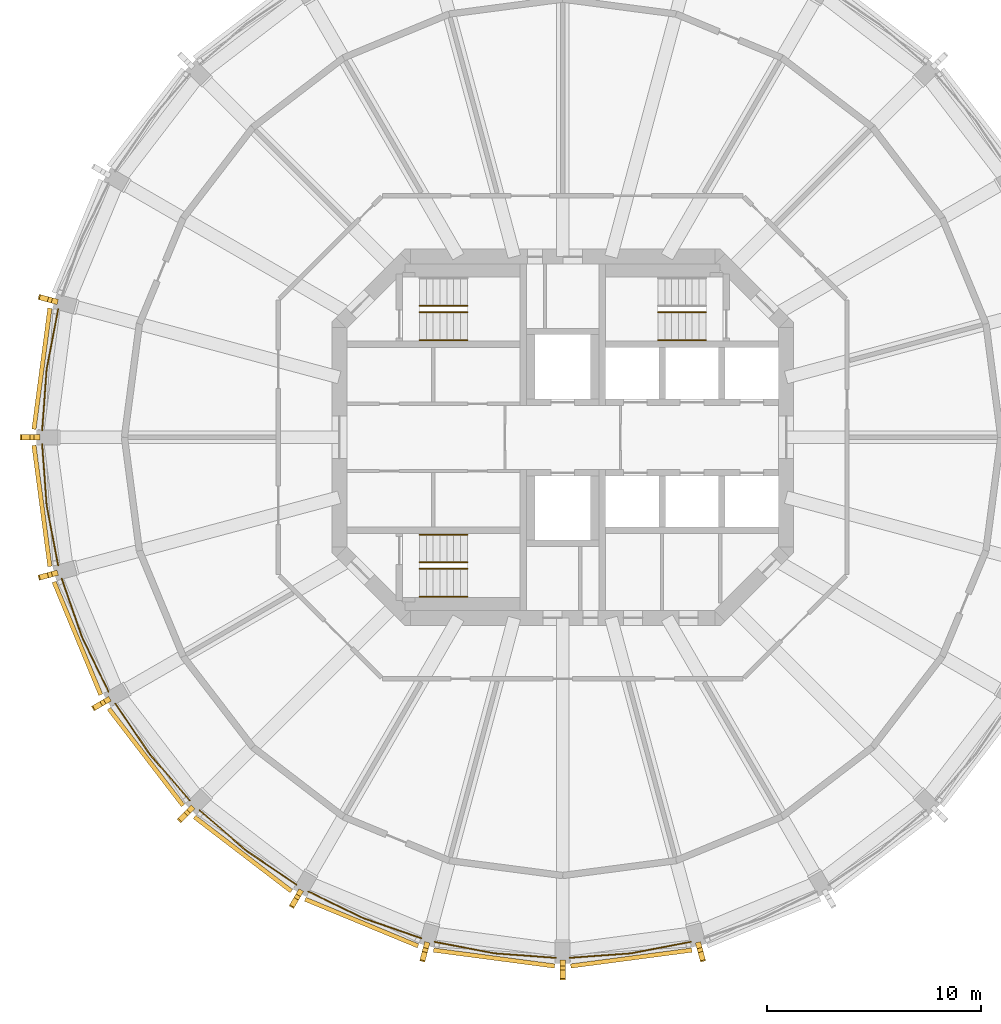
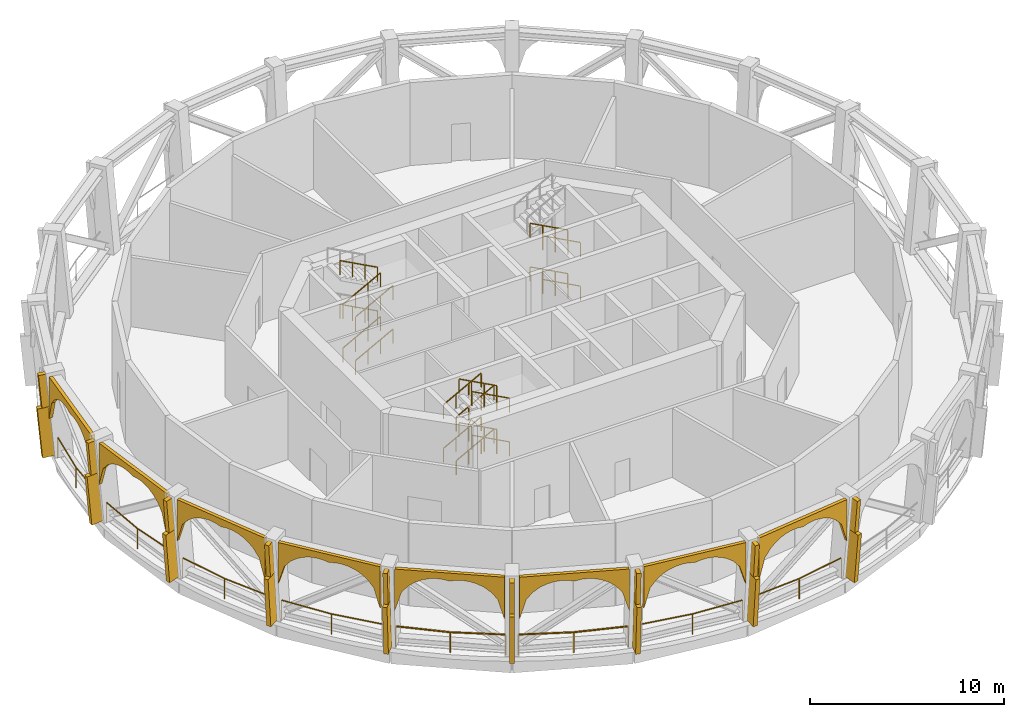
# One storey, part 7 of 9: 26 coverings, 26 railings.
"""IFC4 building model written with IfcOpenShell, lengths in metres."""

from ifc_helpers import new_model, si_unit, direction, frame, origin, origin_2d, place, context, subcontext, project, spatial, polyline, rectangle, outline, extrude, material, layer, layer_set, material_profile, profile_set, type_object, element, save


model = new_model("IFC4")

# Units and contexts
model_context = context("Model", 3, precision=1e-05, world=origin(), true_north=direction((0.0, 1.0)))
body_context = subcontext(model_context, "Body", "Model", "MODEL_VIEW")
ifc_project = project(units=[si_unit("LENGTHUNIT", "METRE"), si_unit("AREAUNIT", "SQUARE_METRE"), si_unit("VOLUMEUNIT", "CUBIC_METRE"), si_unit("PLANEANGLEUNIT", "RADIAN"), si_unit("MASSUNIT", "GRAM", prefix="KILO")], contexts=[model_context])

# Site, building, storey
site_placement = place(None, origin())
site = spatial("IfcSite", under=ifc_project, at=site_placement, CompositionType="ELEMENT")
building_placement = place(site_placement, origin())
building = spatial("IfcBuilding", under=site, at=building_placement, Name="Torre Triforio", CompositionType="ELEMENT")
storey_placement = place(building_placement, frame((0.0, 0.0, 248.300048828125)))
storey = spatial("IfcBuildingStorey", under=building, at=storey_placement, Name="L57", CompositionType="ELEMENT", Elevation=248.300048828125)

# Railings
ifc_material_1 = material(Name="Stainless steel AISI 316", Category="steel")
railing_type_1 = type_object("IfcRailingType", Name="HANDRAIL 920", PredefinedType="HANDRAIL", material=ifc_material_1)
for number, where, name in (
    (1, (-6.699951171875, 4.550048828125, 0.171875), "Handrail ST1"),
    (2, (-6.699951171875, 5.85009765625, 0.171875), "Handrail ST1"),
):
    element("IfcRailing", number, at=place(storey_placement, frame(where)), inside=storey, type_object=railing_type_1, Name=name, PredefinedType="HANDRAIL", context=body_context, shape_type="SweptSolid", body=[
        extrude(rectangle(XDim=0.048095703125, YDim=0.048095703125, at=origin_2d()), frame((0.0, 0.0, 0.89599609375), z_axis=(0.880967005, 0.0, 0.473177700342), x_axis=(0.0, 1.0, 0.0)), (0.0, 0.0, 1.0), 2.542724609375),
        extrude(rectangle(XDim=0.0419921875, YDim=0.0419921875, at=origin_2d()), origin(), (0.0, 0.0, 1.0), 0.871826171875),
        extrude(rectangle(XDim=0.0419921875, YDim=0.0419921875, at=origin_2d()), frame((0.74658203125, 0.0, 0.401123046875)), (0.0, 0.0, 1.0), 0.871826171875),
        extrude(rectangle(XDim=0.0419921875, YDim=0.0419921875, at=origin_2d()), frame((1.493408203125, 0.0, 0.802001953125)), (0.0, 0.0, 1.0), 0.871826171875),
        extrude(rectangle(XDim=0.0419921875, YDim=0.0419921875, at=origin_2d()), frame((2.239990234375, 0.0, 1.203125)), (0.0, 0.0, 1.0), 0.871826171875),
    ])
railing_1_placement = place(storey_placement, frame((-4.4599609375, 6.14990234375, 1.546875)))
element("IfcRailing", 3, at=railing_1_placement, inside=storey, type_object=railing_type_1, Name="Handrail ST1", PredefinedType="HANDRAIL", context=body_context, shape_type="SweptSolid", body=[
    extrude(rectangle(XDim=0.048095703125, YDim=0.048095703125, at=origin_2d()), frame((0.0, 0.0, 0.89599609375), z_axis=(-0.880967005, 0.0, 0.473177700342), x_axis=(0.0, -1.0, 0.0)), (0.0, 0.0, 1.0), 2.542724609375),
    extrude(rectangle(XDim=0.0419921875, YDim=0.0419921875, at=origin_2d()), origin(), (0.0, 0.0, 1.0), 0.871826171875),
    extrude(rectangle(XDim=0.0419921875, YDim=0.0419921875, at=origin_2d()), frame((-0.74658203125, 0.0, 0.401123046875)), (0.0, 0.0, 1.0), 0.871826171875),
    extrude(rectangle(XDim=0.0419921875, YDim=0.0419921875, at=origin_2d()), frame((-1.493408203125, 0.0, 0.802001953125)), (0.0, 0.0, 1.0), 0.871826171875),
    extrude(rectangle(XDim=0.0419921875, YDim=0.0419921875, at=origin_2d()), frame((-2.239990234375, 0.0, 1.203125)), (0.0, 0.0, 1.0), 0.871826171875),
])
for number, where, name in (
    (4, (-6.699951171875, 4.550048828125, 2.921875), "Handrail ST1"),
    (5, (-6.699951171875, 5.85009765625, 2.921875), "Handrail ST1"),
):
    element("IfcRailing", number, at=place(storey_placement, frame(where)), inside=storey, type_object=railing_type_1, Name=name, PredefinedType="HANDRAIL", context=body_context, shape_type="SweptSolid", body=[
        extrude(rectangle(XDim=0.048095703125, YDim=0.048095703125, at=origin_2d()), frame((0.0, 0.0, 0.89599609375), z_axis=(0.880967005, 0.0, 0.473177700342), x_axis=(0.0, 1.0, 0.0)), (0.0, 0.0, 1.0), 2.542724609375),
        extrude(rectangle(XDim=0.0419921875, YDim=0.0419921875, at=origin_2d()), origin(), (0.0, 0.0, 1.0), 0.871826171875),
        extrude(rectangle(XDim=0.0419921875, YDim=0.0419921875, at=origin_2d()), frame((0.74658203125, 0.0, 0.401123046875)), (0.0, 0.0, 1.0), 0.871826171875),
        extrude(rectangle(XDim=0.0419921875, YDim=0.0419921875, at=origin_2d()), frame((1.493408203125, 0.0, 0.802001953125)), (0.0, 0.0, 1.0), 0.871826171875),
        extrude(rectangle(XDim=0.0419921875, YDim=0.0419921875, at=origin_2d()), frame((2.239990234375, 0.0, 1.203125)), (0.0, 0.0, 1.0), 0.871826171875),
    ])
for number, where, name in (
    (6, (-4.4599609375, 6.14990234375, 4.296875), "Handrail ST1"),
    (7, (6.699951171875, 4.550048828125, 0.171875), "Handrail ST2"),
    (8, (6.699951171875, 5.85009765625, 0.171875), "Handrail ST2"),
    (9, (6.699951171875, 4.550048828125, 2.921875), "Handrail ST2"),
    (10, (6.699951171875, 5.85009765625, 2.921875), "Handrail ST2"),
):
    element("IfcRailing", number, at=place(storey_placement, frame(where)), inside=storey, type_object=railing_type_1, Name=name, PredefinedType="HANDRAIL", context=body_context, shape_type="SweptSolid", body=[
        extrude(rectangle(XDim=0.048095703125, YDim=0.048095703125, at=origin_2d()), frame((0.0, 0.0, 0.89599609375), z_axis=(-0.880967005, 0.0, 0.473177700342), x_axis=(0.0, -1.0, 0.0)), (0.0, 0.0, 1.0), 2.542724609375),
        extrude(rectangle(XDim=0.0419921875, YDim=0.0419921875, at=origin_2d()), origin(), (0.0, 0.0, 1.0), 0.871826171875),
        extrude(rectangle(XDim=0.0419921875, YDim=0.0419921875, at=origin_2d()), frame((-0.74658203125, 0.0, 0.401123046875)), (0.0, 0.0, 1.0), 0.871826171875),
        extrude(rectangle(XDim=0.0419921875, YDim=0.0419921875, at=origin_2d()), frame((-1.493408203125, 0.0, 0.802001953125)), (0.0, 0.0, 1.0), 0.871826171875),
        extrude(rectangle(XDim=0.0419921875, YDim=0.0419921875, at=origin_2d()), frame((-2.239990234375, 0.0, 1.203125)), (0.0, 0.0, 1.0), 0.871826171875),
    ])
for number, where, name in (
    (11, (-6.699951171875, -4.550048828125, 0.171875), "Handrail ST3"),
    (12, (-6.699951171875, -5.85009765625, 0.171875), "Handrail ST3"),
):
    element("IfcRailing", number, at=place(storey_placement, frame(where)), inside=storey, type_object=railing_type_1, Name=name, PredefinedType="HANDRAIL", context=body_context, shape_type="SweptSolid", body=[
        extrude(rectangle(XDim=0.048095703125, YDim=0.048095703125, at=origin_2d()), frame((0.0, 0.0, 0.89599609375), z_axis=(0.880967005, 0.0, 0.473177700342), x_axis=(0.0, 1.0, 0.0)), (0.0, 0.0, 1.0), 2.542724609375),
        extrude(rectangle(XDim=0.0419921875, YDim=0.0419921875, at=origin_2d()), origin(), (0.0, 0.0, 1.0), 0.871826171875),
        extrude(rectangle(XDim=0.0419921875, YDim=0.0419921875, at=origin_2d()), frame((0.74658203125, 0.0, 0.401123046875)), (0.0, 0.0, 1.0), 0.871826171875),
        extrude(rectangle(XDim=0.0419921875, YDim=0.0419921875, at=origin_2d()), frame((1.493408203125, 0.0, 0.802001953125)), (0.0, 0.0, 1.0), 0.871826171875),
        extrude(rectangle(XDim=0.0419921875, YDim=0.0419921875, at=origin_2d()), frame((2.239990234375, 0.0, 1.203125)), (0.0, 0.0, 1.0), 0.871826171875),
    ])
for number, where, name in (
    (13, (-4.4599609375, -7.449951171875, 1.546875), "Handrail ST3"),
    (14, (-4.4599609375, -6.14990234375, 1.546875), "Handrail ST3"),
):
    element("IfcRailing", number, at=place(storey_placement, frame(where)), inside=storey, type_object=railing_type_1, Name=name, PredefinedType="HANDRAIL", context=body_context, shape_type="SweptSolid", body=[
        extrude(rectangle(XDim=0.048095703125, YDim=0.048095703125, at=origin_2d()), frame((0.0, 0.0, 0.89599609375), z_axis=(-0.880967005, 0.0, 0.473177700342), x_axis=(0.0, -1.0, 0.0)), (0.0, 0.0, 1.0), 2.542724609375),
        extrude(rectangle(XDim=0.0419921875, YDim=0.0419921875, at=origin_2d()), origin(), (0.0, 0.0, 1.0), 0.871826171875),
        extrude(rectangle(XDim=0.0419921875, YDim=0.0419921875, at=origin_2d()), frame((-0.74658203125, 0.0, 0.401123046875)), (0.0, 0.0, 1.0), 0.871826171875),
        extrude(rectangle(XDim=0.0419921875, YDim=0.0419921875, at=origin_2d()), frame((-1.493408203125, 0.0, 0.802001953125)), (0.0, 0.0, 1.0), 0.871826171875),
        extrude(rectangle(XDim=0.0419921875, YDim=0.0419921875, at=origin_2d()), frame((-2.239990234375, 0.0, 1.203125)), (0.0, 0.0, 1.0), 0.871826171875),
    ])
for number, where, name in (
    (15, (-6.699951171875, -4.550048828125, 2.921875), "Handrail ST3"),
    (16, (-6.699951171875, -5.85009765625, 2.921875), "Handrail ST3"),
):
    element("IfcRailing", number, at=place(storey_placement, frame(where)), inside=storey, type_object=railing_type_1, Name=name, PredefinedType="HANDRAIL", context=body_context, shape_type="SweptSolid", body=[
        extrude(rectangle(XDim=0.048095703125, YDim=0.048095703125, at=origin_2d()), frame((0.0, 0.0, 0.89599609375), z_axis=(0.880967005, 0.0, 0.473177700342), x_axis=(0.0, 1.0, 0.0)), (0.0, 0.0, 1.0), 2.542724609375),
        extrude(rectangle(XDim=0.0419921875, YDim=0.0419921875, at=origin_2d()), origin(), (0.0, 0.0, 1.0), 0.871826171875),
        extrude(rectangle(XDim=0.0419921875, YDim=0.0419921875, at=origin_2d()), frame((0.74658203125, 0.0, 0.401123046875)), (0.0, 0.0, 1.0), 0.871826171875),
        extrude(rectangle(XDim=0.0419921875, YDim=0.0419921875, at=origin_2d()), frame((1.493408203125, 0.0, 0.802001953125)), (0.0, 0.0, 1.0), 0.871826171875),
        extrude(rectangle(XDim=0.0419921875, YDim=0.0419921875, at=origin_2d()), frame((2.239990234375, 0.0, 1.203125)), (0.0, 0.0, 1.0), 0.871826171875),
    ])
for number, where, name in (
    (17, (-4.4599609375, -7.449951171875, 4.296875), "Handrail ST3"),
    (18, (-4.4599609375, -6.14990234375, 4.296875), "Handrail ST3"),
):
    element("IfcRailing", number, at=place(storey_placement, frame(where)), inside=storey, type_object=railing_type_1, Name=name, PredefinedType="HANDRAIL", context=body_context, shape_type="SweptSolid", body=[
        extrude(rectangle(XDim=0.048095703125, YDim=0.048095703125, at=origin_2d()), frame((0.0, 0.0, 0.89599609375), z_axis=(-0.880967005, 0.0, 0.473177700342), x_axis=(0.0, -1.0, 0.0)), (0.0, 0.0, 1.0), 2.542724609375),
        extrude(rectangle(XDim=0.0419921875, YDim=0.0419921875, at=origin_2d()), origin(), (0.0, 0.0, 1.0), 0.871826171875),
        extrude(rectangle(XDim=0.0419921875, YDim=0.0419921875, at=origin_2d()), frame((-0.74658203125, 0.0, 0.401123046875)), (0.0, 0.0, 1.0), 0.871826171875),
        extrude(rectangle(XDim=0.0419921875, YDim=0.0419921875, at=origin_2d()), frame((-1.493408203125, 0.0, 0.802001953125)), (0.0, 0.0, 1.0), 0.871826171875),
        extrude(rectangle(XDim=0.0419921875, YDim=0.0419921875, at=origin_2d()), frame((-2.239990234375, 0.0, 1.203125)), (0.0, 0.0, 1.0), 0.871826171875),
    ])

# Coverings
ifc_material_2 = material(Name="Limestone arch panel", Category="masonry")
ifc_layer = layer(ifc_material_2, 0.199951171875)
ifc_layer_set = layer_set([ifc_layer], Name="Limestone arch panel")
covering_type_1 = type_object("IfcCoveringType", Name="Lancet arch cladding panel 200", PredefinedType="CLADDING", material=ifc_layer_set)
for number, where, z_axis, x_axis, name in (
    (19, (-24.262939453125, 3.1943359375, 0.0), (-0.991429342672, 0.130644014367, 0.0), (-0.130644014367, -0.991429342672, 0.0), "Lancet arch panel L57 bay 12"),
    (20, (-24.262939453125, -3.1943359375, 0.0), (-0.991429342672, -0.130644014367, 0.0), (0.130644014367, -0.991429342672, 0.0), "Lancet arch panel L57 bay 13"),
):
    element("IfcCovering", number, at=place(storey_placement, frame(where, z_axis=z_axis, x_axis=x_axis)), inside=storey, type_object=covering_type_1, Name=name, PredefinedType="CLADDING", context=body_context, shape_type="SweptSolid", body=[
        extrude(outline(polyline([(-2.8544921875, 5.219970703125), (-2.8544921875, 2.60009765625), (-2.497802734375, 3.805419921875), (-2.140869140625, 4.228271484375), (-1.7841796875, 4.49609375), (-1.42724609375, 4.669921875), (-1.0703125, 4.772216796875), (-0.713623046875, 4.813232421875), (-0.356689453125, 4.79638671875), (0.0, 4.719970703125), (0.356689453125, 4.79638671875), (0.713623046875, 4.813232421875), (1.0703125, 4.772216796875), (1.42724609375, 4.669921875), (1.7841796875, 4.49609375), (2.140869140625, 4.228271484375), (2.497802734375, 3.805419921875), (2.8544921875, 2.60009765625), (2.8544921875, 5.219970703125), (-2.8544921875, 5.219970703125)])), origin(), (0.0, 0.0, 1.0), 0.199951171875),
    ])
covering_1_placement = place(storey_placement, frame((-22.609619140625, -9.365234375, 0.0), z_axis=(-0.923942369466, -0.382531695295, 0.0), x_axis=(0.382531695295, -0.923942369466, 0.0)))
element("IfcCovering", 21, at=covering_1_placement, inside=storey, type_object=covering_type_1, Name="Lancet arch panel L57 bay 14", PredefinedType="CLADDING", context=body_context, shape_type="SweptSolid", body=[
    extrude(outline(polyline([(-2.8544921875, 5.219970703125), (-2.8544921875, 2.60009765625), (-2.497802734375, 3.805419921875), (-2.140869140625, 4.228271484375), (-1.7841796875, 4.49609375), (-1.42724609375, 4.669921875), (-1.0703125, 4.772216796875), (-0.713623046875, 4.813232421875), (-0.356689453125, 4.79638671875), (0.0, 4.719970703125), (0.356689453125, 4.79638671875), (0.713623046875, 4.813232421875), (1.0703125, 4.772216796875), (1.42724609375, 4.669921875), (1.7841796875, 4.49609375), (2.140869140625, 4.228271484375), (2.497802734375, 3.805419921875), (2.8544921875, 2.60009765625), (2.8544921875, 5.219970703125), (-2.8544921875, 5.219970703125)])), origin(), (0.0, 0.0, 1.0), 0.19970703125),
])
for number, where, z_axis, x_axis, name in (
    (22, (-19.415283203125, -14.89794921875, 0.0), (-0.793802879778, -0.60817512943, 0.0), (0.60817512943, -0.793802879778, 0.0), "Lancet arch panel L57 bay 15"),
    (23, (-14.89794921875, -19.415283203125, 0.0), (-0.60817512943, -0.793802879778, 0.0), (0.793802879778, -0.60817512943, 0.0), "Lancet arch panel L57 bay 16"),
):
    element("IfcCovering", number, at=place(storey_placement, frame(where, z_axis=z_axis, x_axis=x_axis)), inside=storey, type_object=covering_type_1, Name=name, PredefinedType="CLADDING", context=body_context, shape_type="SweptSolid", body=[
        extrude(outline(polyline([(-2.8544921875, 5.219970703125), (-2.8544921875, 2.60009765625), (-2.497802734375, 3.805419921875), (-2.140869140625, 4.228271484375), (-1.7841796875, 4.49609375), (-1.42724609375, 4.669921875), (-1.0703125, 4.772216796875), (-0.713623046875, 4.813232421875), (-0.356689453125, 4.79638671875), (0.0, 4.719970703125), (0.356689453125, 4.79638671875), (0.713623046875, 4.813232421875), (1.0703125, 4.772216796875), (1.42724609375, 4.669921875), (1.7841796875, 4.49609375), (2.140869140625, 4.228271484375), (2.497802734375, 3.805419921875), (2.8544921875, 2.60009765625), (2.8544921875, 5.219970703125), (-2.8544921875, 5.219970703125)])), origin(), (0.0, 0.0, 1.0), 0.199951171875),
    ])
covering_2_placement = place(storey_placement, frame((-9.365234375, -22.609619140625, 0.0), z_axis=(-0.382531695295, -0.923942369466, 0.0), x_axis=(0.923942369466, -0.382531695295, 0.0)))
element("IfcCovering", 24, at=covering_2_placement, inside=storey, type_object=covering_type_1, Name="Lancet arch panel L57 bay 17", PredefinedType="CLADDING", context=body_context, shape_type="SweptSolid", body=[
    extrude(outline(polyline([(-2.8544921875, 5.219970703125), (-2.8544921875, 2.60009765625), (-2.497802734375, 3.805419921875), (-2.140869140625, 4.228271484375), (-1.7841796875, 4.49609375), (-1.42724609375, 4.669921875), (-1.0703125, 4.772216796875), (-0.713623046875, 4.813232421875), (-0.356689453125, 4.79638671875), (0.0, 4.719970703125), (0.356689453125, 4.79638671875), (0.713623046875, 4.813232421875), (1.0703125, 4.772216796875), (1.42724609375, 4.669921875), (1.7841796875, 4.49609375), (2.140869140625, 4.228271484375), (2.497802734375, 3.805419921875), (2.8544921875, 2.60009765625), (2.8544921875, 5.219970703125), (-2.8544921875, 5.219970703125)])), origin(), (0.0, 0.0, 1.0), 0.19970703125),
])
for number, where, z_axis, x_axis, name in (
    (25, (-3.1943359375, -24.262939453125, 0.0), (-0.130644014367, -0.991429342672, 0.0), (0.991429342672, -0.130644014367, 0.0), "Lancet arch panel L57 bay 18"),
    (26, (3.1943359375, -24.262939453125, 0.0), (0.130644014367, -0.991429342672, 0.0), (0.991429342672, 0.130644014367, 0.0), "Lancet arch panel L57 bay 19"),
):
    element("IfcCovering", number, at=place(storey_placement, frame(where, z_axis=z_axis, x_axis=x_axis)), inside=storey, type_object=covering_type_1, Name=name, PredefinedType="CLADDING", context=body_context, shape_type="SweptSolid", body=[
        extrude(outline(polyline([(-2.8544921875, 5.219970703125), (-2.8544921875, 2.60009765625), (-2.497802734375, 3.805419921875), (-2.140869140625, 4.228271484375), (-1.7841796875, 4.49609375), (-1.42724609375, 4.669921875), (-1.0703125, 4.772216796875), (-0.713623046875, 4.813232421875), (-0.356689453125, 4.79638671875), (0.0, 4.719970703125), (0.356689453125, 4.79638671875), (0.713623046875, 4.813232421875), (1.0703125, 4.772216796875), (1.42724609375, 4.669921875), (1.7841796875, 4.49609375), (2.140869140625, 4.228271484375), (2.497802734375, 3.805419921875), (2.8544921875, 2.60009765625), (2.8544921875, 5.219970703125), (-2.8544921875, 5.219970703125)])), origin(), (0.0, 0.0, 1.0), 0.199951171875),
    ])

# Railings
railing_type_2 = type_object("IfcRailingType", Name="Loggia guard 1300", PredefinedType="GUARDRAIL", material=ifc_material_1)
railing_2_placement = place(storey_placement, frame((-23.60302734375, 5.9931640625, 0.0)))
element("IfcRailing", 27, at=railing_2_placement, inside=storey, type_object=railing_type_2, Name="Loggia guard L57 bay 12", PredefinedType="GUARDRAIL", context=body_context, shape_type="SweptSolid", body=[
    extrude(rectangle(XDim=0.050048828125, YDim=0.050048828125, at=origin_2d()), frame((0.0, 0.0, 1.27490234375), z_axis=(-0.187918414449, -0.982184641252, 0.0), x_axis=(0.982184641252, -0.187918414449, 0.0)), (0.0, 0.0, 1.0), 2.865966796875),
    extrude(rectangle(XDim=0.050048828125, YDim=0.050048828125, at=origin_2d()), frame((-0.53857421875, -2.81494140625, 1.27490234375), z_axis=(-0.072754488601, -0.997349880628, 0.0), x_axis=(0.997349880628, -0.072754488601, 0.0)), (0.0, 0.0, 1.0), 2.86572265625),
    extrude(rectangle(XDim=0.0400390625, YDim=0.0400390625, at=origin_2d()), origin(), (0.0, 0.0, 1.0), 1.25),
    extrude(rectangle(XDim=0.0400390625, YDim=0.0400390625, at=origin_2d()), frame((-0.53857421875, -2.81494140625, 0.0)), (0.0, 0.0, 1.0), 1.25),
    extrude(rectangle(XDim=0.0400390625, YDim=0.0400390625, at=origin_2d()), frame((-0.7470703125, -5.673095703125, 0.0)), (0.0, 0.0, 1.0), 1.25),
])
railing_3_placement = place(storey_placement, frame((-24.35009765625, -0.320068359375, 0.0)))
element("IfcRailing", 28, at=railing_3_placement, inside=storey, type_object=railing_type_2, Name="Loggia guard L57 bay 13", PredefinedType="GUARDRAIL", context=body_context, shape_type="SweptSolid", body=[
    extrude(rectangle(XDim=0.050048828125, YDim=0.050048828125, at=origin_2d()), frame((0.0, 0.0, 1.27490234375), z_axis=(0.072754488601, -0.997349880628, 0.0), x_axis=(0.997349880628, 0.072754488601, 0.0)), (0.0, 0.0, 1.0), 2.86572265625),
    extrude(rectangle(XDim=0.050048828125, YDim=0.050048828125, at=origin_2d()), frame((0.20849609375, -2.858154296875, 1.27490234375), z_axis=(0.187918414449, -0.982184641252, 0.0), x_axis=(0.982184641252, 0.187918414449, 0.0)), (0.0, 0.0, 1.0), 2.865966796875),
    extrude(rectangle(XDim=0.0400390625, YDim=0.0400390625, at=origin_2d()), origin(), (0.0, 0.0, 1.0), 1.25),
    extrude(rectangle(XDim=0.0400390625, YDim=0.0400390625, at=origin_2d()), frame((0.20849609375, -2.858154296875, 0.0)), (0.0, 0.0, 1.0), 1.25),
    extrude(rectangle(XDim=0.0400390625, YDim=0.0400390625, at=origin_2d()), frame((0.7470703125, -5.673095703125, 0.0)), (0.0, 0.0, 1.0), 1.25),
])
railing_4_placement = place(storey_placement, frame((-23.4375, -6.611328125, 0.0)))
element("IfcRailing", 29, at=railing_4_placement, inside=storey, type_object=railing_type_2, Name="Loggia guard L57 bay 14", PredefinedType="GUARDRAIL", context=body_context, shape_type="SweptSolid", body=[
    extrude(rectangle(XDim=0.050048828125, YDim=0.050048828125, at=origin_2d()), frame((0.0, 0.0, 1.27490234375), z_axis=(0.328315763022, -0.944568028123, 0.0), x_axis=(0.944568028123, 0.328315763022, 0.0)), (0.0, 0.0, 1.0), 2.865966796875),
    extrude(rectangle(XDim=0.050048828125, YDim=0.050048828125, at=origin_2d()), frame((0.94091796875, -2.70703125, 1.27490234375), z_axis=(0.435727917358, -0.900078431046, 0.0), x_axis=(0.900078431046, 0.435727917358, 0.0)), (0.0, 0.0, 1.0), 2.865966796875),
    extrude(rectangle(XDim=0.0400390625, YDim=0.0400390625, at=origin_2d()), origin(), (0.0, 0.0, 1.0), 1.25),
    extrude(rectangle(XDim=0.0400390625, YDim=0.0400390625, at=origin_2d()), frame((0.94091796875, -2.70703125, 0.0)), (0.0, 0.0, 1.0), 1.25),
    extrude(rectangle(XDim=0.0400390625, YDim=0.0400390625, at=origin_2d()), frame((2.189697265625, -5.28662109375, 0.0)), (0.0, 0.0, 1.0), 1.25),
])
railing_5_placement = place(storey_placement, frame((-20.927734375, -12.4521484375, 0.0)))
element("IfcRailing", 30, at=railing_5_placement, inside=storey, type_object=railing_type_2, Name="Loggia guard L57 bay 15", PredefinedType="GUARDRAIL", context=body_context, shape_type="SweptSolid", body=[
    extrude(rectangle(XDim=0.050048828125, YDim=0.050048828125, at=origin_2d()), frame((0.0, 0.0, 1.27490234375), z_axis=(0.561659735558, -0.827368322727, 0.0), x_axis=(0.827368322727, 0.561659735558, 0.0)), (0.0, 0.0, 1.0), 2.86572265625),
    extrude(rectangle(XDim=0.050048828125, YDim=0.050048828125, at=origin_2d()), frame((1.609619140625, -2.37109375, 1.27490234375), z_axis=(0.653823896404, -0.756646755422, 0.0), x_axis=(0.756646755422, 0.653823896404, 0.0)), (0.0, 0.0, 1.0), 2.865966796875),
    extrude(rectangle(XDim=0.0400390625, YDim=0.0400390625, at=origin_2d()), origin(), (0.0, 0.0, 1.0), 1.25),
    extrude(rectangle(XDim=0.0400390625, YDim=0.0400390625, at=origin_2d()), frame((1.609619140625, -2.37109375, 0.0)), (0.0, 0.0, 1.0), 1.25),
    extrude(rectangle(XDim=0.0400390625, YDim=0.0400390625, at=origin_2d()), frame((3.4833984375, -4.53955078125, 0.0)), (0.0, 0.0, 1.0), 1.25),
])
railing_6_placement = place(storey_placement, frame((-16.99169921875, -17.4443359375, 0.0)))
element("IfcRailing", 31, at=railing_6_placement, inside=storey, type_object=railing_type_2, Name="Loggia guard L57 bay 16", PredefinedType="GUARDRAIL", context=body_context, shape_type="SweptSolid", body=[
    extrude(rectangle(XDim=0.050048828125, YDim=0.050048828125, at=origin_2d()), frame((0.0, 0.0, 1.27490234375), z_axis=(0.756646755422, -0.653823896404, 0.0), x_axis=(0.653823896404, 0.756646755422, 0.0)), (0.0, 0.0, 1.0), 2.865966796875),
    extrude(rectangle(XDim=0.050048828125, YDim=0.050048828125, at=origin_2d()), frame((2.16845703125, -1.873779296875, 1.27490234375), z_axis=(0.827368322727, -0.561659735558, 0.0), x_axis=(0.561659735558, 0.827368322727, 0.0)), (0.0, 0.0, 1.0), 2.86572265625),
    extrude(rectangle(XDim=0.0400390625, YDim=0.0400390625, at=origin_2d()), origin(), (0.0, 0.0, 1.0), 1.25),
    extrude(rectangle(XDim=0.0400390625, YDim=0.0400390625, at=origin_2d()), frame((2.16845703125, -1.873779296875, 0.0)), (0.0, 0.0, 1.0), 1.25),
    extrude(rectangle(XDim=0.0400390625, YDim=0.0400390625, at=origin_2d()), frame((4.53955078125, -3.4833984375, 0.0)), (0.0, 0.0, 1.0), 1.25),
])
railing_7_placement = place(storey_placement, frame((-11.89794921875, -21.247802734375, 0.0)))
element("IfcRailing", 32, at=railing_7_placement, inside=storey, type_object=railing_type_2, Name="Loggia guard L57 bay 17", PredefinedType="GUARDRAIL", context=body_context, shape_type="SweptSolid", body=[
    extrude(rectangle(XDim=0.050048828125, YDim=0.050048828125, at=origin_2d()), frame((0.0, 0.0, 1.27490234375), z_axis=(0.900078431046, -0.435727917358, 0.0), x_axis=(0.435727917358, 0.900078431046, 0.0)), (0.0, 0.0, 1.0), 2.865966796875),
    extrude(rectangle(XDim=0.050048828125, YDim=0.050048828125, at=origin_2d()), frame((2.57958984375, -1.248779296875, 1.27490234375), z_axis=(0.944568028123, -0.328315763022, 0.0), x_axis=(0.328315763022, 0.944568028123, 0.0)), (0.0, 0.0, 1.0), 2.865966796875),
    extrude(rectangle(XDim=0.0400390625, YDim=0.0400390625, at=origin_2d()), origin(), (0.0, 0.0, 1.0), 1.25),
    extrude(rectangle(XDim=0.0400390625, YDim=0.0400390625, at=origin_2d()), frame((2.57958984375, -1.248779296875, 0.0)), (0.0, 0.0, 1.0), 1.25),
    extrude(rectangle(XDim=0.0400390625, YDim=0.0400390625, at=origin_2d()), frame((5.28662109375, -2.189697265625, 0.0)), (0.0, 0.0, 1.0), 1.25),
])
railing_8_placement = place(storey_placement, frame((-5.9931640625, -23.60302734375, 0.0)))
element("IfcRailing", 33, at=railing_8_placement, inside=storey, type_object=railing_type_2, Name="Loggia guard L57 bay 18", PredefinedType="GUARDRAIL", context=body_context, shape_type="SweptSolid", body=[
    extrude(rectangle(XDim=0.050048828125, YDim=0.050048828125, at=origin_2d()), frame((0.0, 0.0, 1.27490234375), z_axis=(0.982184641252, -0.187918414449, 0.0), x_axis=(0.187918414449, 0.982184641252, 0.0)), (0.0, 0.0, 1.0), 2.865966796875),
    extrude(rectangle(XDim=0.050048828125, YDim=0.050048828125, at=origin_2d()), frame((2.81494140625, -0.53857421875, 1.27490234375), z_axis=(0.997349880628, -0.072754488601, 0.0), x_axis=(0.072754488601, 0.997349880628, 0.0)), (0.0, 0.0, 1.0), 2.86572265625),
    extrude(rectangle(XDim=0.0400390625, YDim=0.0400390625, at=origin_2d()), origin(), (0.0, 0.0, 1.0), 1.25),
    extrude(rectangle(XDim=0.0400390625, YDim=0.0400390625, at=origin_2d()), frame((2.81494140625, -0.53857421875, 0.0)), (0.0, 0.0, 1.0), 1.25),
    extrude(rectangle(XDim=0.0400390625, YDim=0.0400390625, at=origin_2d()), frame((5.673095703125, -0.7470703125, 0.0)), (0.0, 0.0, 1.0), 1.25),
])
railing_9_placement = place(storey_placement, frame((0.320068359375, -24.35009765625, 0.0)))
element("IfcRailing", 34, at=railing_9_placement, inside=storey, type_object=railing_type_2, Name="Loggia guard L57 bay 19", PredefinedType="GUARDRAIL", context=body_context, shape_type="SweptSolid", body=[
    extrude(rectangle(XDim=0.050048828125, YDim=0.050048828125, at=origin_2d()), frame((0.0, 0.0, 1.27490234375), z_axis=(0.997349880628, 0.072754488601, 0.0), x_axis=(-0.072754488601, 0.997349880628, 0.0)), (0.0, 0.0, 1.0), 2.86572265625),
    extrude(rectangle(XDim=0.050048828125, YDim=0.050048828125, at=origin_2d()), frame((2.858154296875, 0.20849609375, 1.27490234375), z_axis=(0.982184641252, 0.187918414449, 0.0), x_axis=(-0.187918414449, 0.982184641252, 0.0)), (0.0, 0.0, 1.0), 2.865966796875),
    extrude(rectangle(XDim=0.0400390625, YDim=0.0400390625, at=origin_2d()), origin(), (0.0, 0.0, 1.0), 1.25),
    extrude(rectangle(XDim=0.0400390625, YDim=0.0400390625, at=origin_2d()), frame((2.858154296875, 0.20849609375, 0.0)), (0.0, 0.0, 1.0), 1.25),
    extrude(rectangle(XDim=0.0400390625, YDim=0.0400390625, at=origin_2d()), frame((5.673095703125, 0.7470703125, 0.0)), (0.0, 0.0, 1.0), 1.25),
])

# Coverings
ifc_material_3 = material(Name="Limestone fin", Category="masonry")
ifc_material_profile_1 = material_profile(ifc_material_3, rectangle(XDim=0.39990234375, YDim=0.25, at=origin_2d()), Name="FIN 400x250")
ifc_profile_set_1 = profile_set([ifc_material_profile_1], Name="Limestone fin")
covering_type_2 = type_object("IfcCoveringType", Name="Stone fin 400 x 250", PredefinedType="CLADDING", material=ifc_profile_set_1)
for number, where, z_axis, x_axis, name in (
    (35, (-24.087646484375, 6.454345703125, 3.1318359375), (-0.08744495323, 0.023404042076, 0.995894387457), (0.962033677468, -0.257481716606, 0.090522754217), "Stone fin C12 L57 upper"),
    (36, (-24.9375, 0.0, 3.1318359375), (-0.090472754514, 0.0, 0.995898930962), (0.995898930962, 0.0, 0.090472754514), "Stone fin C13 L57 upper"),
    (37, (-24.087646484375, -6.454345703125, 3.1318359375), (-0.08744495323, -0.023404042076, 0.995894387457), (0.962033677468, 0.257481716606, 0.090522754217), "Stone fin C14 L57 upper"),
    (38, (-21.596435546875, -12.46875, 3.1318359375), (-0.078362868393, -0.04529443656, 0.995895413622), (0.862224714211, 0.49837357181, 0.090511464059), "Stone fin C15 L57 upper"),
    (39, (-17.63330078125, -17.63330078125, 3.1318359375), (-0.064040651548, -0.064040651548, 0.995890350339), (0.704200820043, 0.704200820043, 0.090567157962), "Stone fin C16 L57 upper"),
    (40, (-12.46875, -21.596435546875, 3.1318359375), (-0.04529443656, -0.078362868393, 0.995895413622), (0.49837357181, 0.862224714211, 0.090511464059), "Stone fin C17 L57 upper"),
    (41, (-6.454345703125, -24.087646484375, 3.1318359375), (-0.023404042076, -0.08744495323, 0.995894387457), (0.257481716606, 0.962033677468, 0.090522754217), "Stone fin C18 L57 upper"),
    (42, (0.0, -24.9375, 3.1318359375), (0.0, -0.090472754514, 0.995898930962), (0.0, 0.995898930962, 0.090472754514), "Stone fin C19 L57 upper"),
    (43, (6.454345703125, -24.087646484375, 3.1318359375), (0.023404042076, -0.08744495323, 0.995894387457), (-0.257481716606, 0.962033677468, 0.090522754217), "Stone fin C20 L57 upper"),
):
    element("IfcCovering", number, at=place(storey_placement, frame(where, z_axis=z_axis, x_axis=x_axis)), inside=storey, type_object=covering_type_2, Name=name, PredefinedType="CLADDING", context=body_context, shape_type="SweptSolid", body=[
        extrude(rectangle(XDim=0.39990234375, YDim=0.25, at=origin_2d()), origin(), (0.0, 0.0, 1.0), 2.0966796875),
    ])
ifc_material_profile_2 = material_profile(ifc_material_3, rectangle(XDim=0.64990234375, YDim=0.25, at=origin_2d()), Name="FIN 650x250")
ifc_profile_set_2 = profile_set([ifc_material_profile_2], Name="Limestone fin")
covering_type_3 = type_object("IfcCoveringType", Name="Stone fin 650 x 250", PredefinedType="CLADDING", material=ifc_profile_set_2)
for number, where, z_axis, x_axis, name in (
    (44, (-23.933837890625, 6.4130859375, 0.0), (-0.087493535045, 0.023445472567, 0.99588914601), (0.961950509459, -0.257772008746, 0.090580399969), "Stone fin C12 L57"),
    (45, (-24.7783203125, 0.0, 0.0), (-0.090521746382, 0.0, 0.995894479065), (0.995894479065, 0.0, 0.090521746382), "Stone fin C13 L57"),
    (46, (-23.933837890625, -6.4130859375, 0.0), (-0.087493535045, -0.023445472567, 0.99588914601), (0.961950509459, 0.257772008746, 0.090580399969), "Stone fin C14 L57"),
    (47, (-21.45849609375, -12.38916015625, 0.0), (-0.078410672853, -0.045260814132, 0.995893179556), (0.862514557915, 0.497867314123, 0.090536042066), "Stone fin C15 L57"),
    (48, (-17.520751953125, -17.520751953125, 0.0), (-0.064048078497, -0.064048078497, 0.995889395105), (0.70420014459, 0.70420014459, 0.090577661255), "Stone fin C16 L57"),
    (49, (-12.38916015625, -21.45849609375, 0.0), (-0.045260814132, -0.078410672853, 0.995893179556), (0.497867314123, 0.862514557915, 0.090536042066), "Stone fin C17 L57"),
    (50, (-6.4130859375, -23.933837890625, 0.0), (-0.023445472567, -0.087493535045, 0.99588914601), (0.257772008746, 0.961950509459, 0.090580399969), "Stone fin C18 L57"),
    (51, (0.0, -24.7783203125, 0.0), (0.0, -0.090521746382, 0.995894479065), (0.0, 0.995894479065, 0.090521746382), "Stone fin C19 L57"),
    (52, (6.4130859375, -23.933837890625, 0.0), (0.023445472567, -0.087493535045, 0.99588914601), (-0.257772008746, 0.961950509459, 0.090580399969), "Stone fin C20 L57"),
):
    element("IfcCovering", number, at=place(storey_placement, frame(where, z_axis=z_axis, x_axis=x_axis)), inside=storey, type_object=covering_type_3, Name=name, PredefinedType="CLADDING", context=body_context, shape_type="SweptSolid", body=[
        extrude(rectangle(XDim=0.64990234375, YDim=0.25, at=origin_2d()), origin(), (0.0, 0.0, 1.0), 3.144775390625),
    ])

save(model, "model.ifc")
